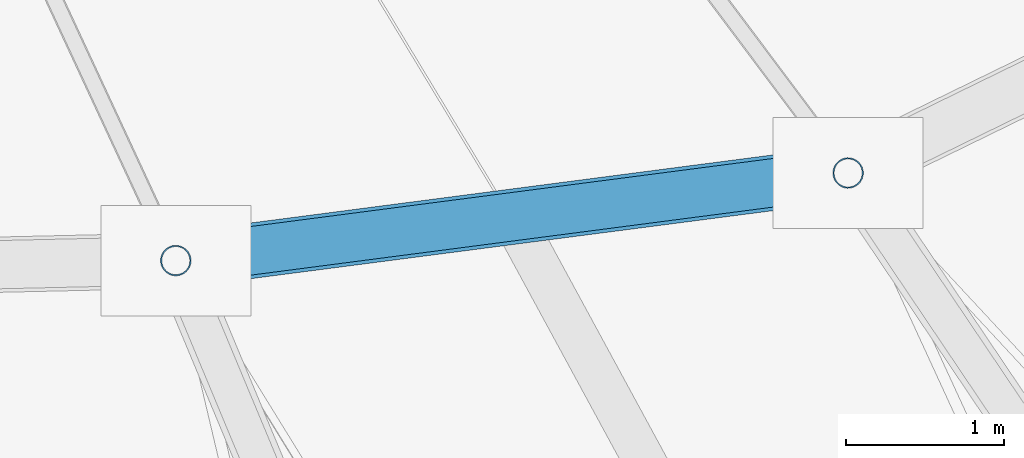
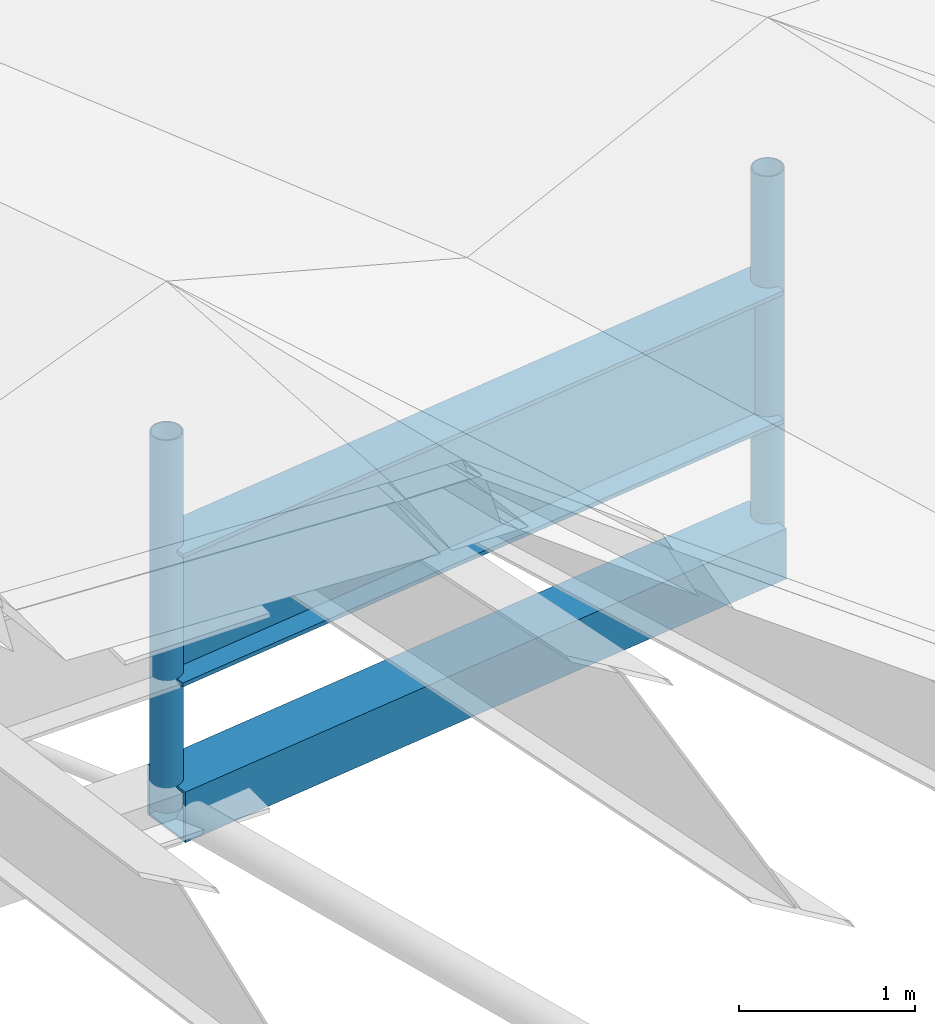
# One storey, part 18 of 41: 3 members, 1 beam.
"""IFC4 building model written with IfcOpenShell, lengths in metres."""

from ifc_helpers import new_model, si_unit, direction, frame, origin, origin_2d, place, context, subcontext, project, spatial, hollow_rectangle, hollow_circle, i_section, extrude, material, material_profile, profile_set, type_object, element, save


model = new_model("IFC4")

# Units and contexts
model_context = context("Model", 3, precision=1e-05, world=origin(), true_north=direction((0.0, 1.0)))
body_context = subcontext(model_context, "Body", "Model", "MODEL_VIEW")
ifc_project = project(units=[si_unit("LENGTHUNIT", "METRE"), si_unit("AREAUNIT", "SQUARE_METRE"), si_unit("VOLUMEUNIT", "CUBIC_METRE"), si_unit("PLANEANGLEUNIT", "RADIAN"), si_unit("MASSUNIT", "GRAM", prefix="KILO")], contexts=[model_context])

# Site, building, storey
site_placement = place(None, origin())
site = spatial("IfcSite", under=ifc_project, at=site_placement, CompositionType="ELEMENT")
building_placement = place(site_placement, origin())
building = spatial("IfcBuilding", under=site, at=building_placement, Name="Luwafu Chhajja Arena", CompositionType="ELEMENT")
storey_placement = place(building_placement, frame((0.0, 0.0, 29.699951171875)))
storey = spatial("IfcBuildingStorey", under=building, at=storey_placement, Name="RF", CompositionType="ELEMENT", Elevation=29.699951171875)

# Members
ifc_material = material(Name="Steel S355", Category="steel")
ifc_material_profile_1 = material_profile(ifc_material, hollow_circle(Radius=0.096923828125, WallThickness=0.008056640625, at=origin_2d()), Name="CHS 193.7x8")
ifc_profile_set_1 = profile_set([ifc_material_profile_1], Name="Steel S355")
member_type_1 = type_object("IfcMemberType", Name="Folded Pleat Tie Strut CHS 194", PredefinedType="BRACE", material=ifc_profile_set_1)
for number, where, z_axis, x_axis, name in (
    (1, (106.61865234375, 33.095458984375, 4.10009765625), (0.0, 0.0, 1.0), (1.0, 0.0, 0.0), "Roof Inner Ring Truss Web IRW-27"),
    (2, (110.874267578125, 33.64990234375, 4.10009765625), (0.0, 0.0, 1.0), (1.0, 0.0, 0.0), "Roof Inner Ring Truss Web IRW-28"),
):
    element("IfcMember", number, at=place(storey_placement, frame(where, z_axis=z_axis, x_axis=x_axis)), inside=storey, type_object=member_type_1, Name=name, PredefinedType="BRACE", context=body_context, shape_type="SweptSolid", body=[
        extrude(hollow_circle(Radius=0.096923828125, WallThickness=0.008056640625, at=origin_2d()), origin(), (0.0, 0.0, 1.0), 2.579833984375),
    ])

# Beam
ifc_material_profile_2 = material_profile(ifc_material, i_section(OverallWidth=0.305419921875, OverallDepth=0.91845703125, WebThickness=0.017333984375, FlangeThickness=0.02783203125, at=origin_2d()), Name="UB 914x305x253")
ifc_profile_set_2 = profile_set([ifc_material_profile_2], Name="Steel S355")
beam_type = type_object("IfcBeamType", Name="Inner Tension Ring Girder UB 914x305x253", PredefinedType="BEAM", material=ifc_profile_set_2)
beam_placement = place(storey_placement, frame((106.61865234375, 33.095458984375, 5.449951171875), z_axis=(0.9916194337, 0.129193261083, 0.0), x_axis=(-0.129193261083, 0.9916194337, 0.0)))
element("IfcBeam", 3, at=beam_placement, inside=storey, type_object=beam_type, Name="Roof Inner Tension Ring Beam IR-27", PredefinedType="BEAM", context=body_context, shape_type="SweptSolid", body=[
    extrude(i_section(OverallWidth=0.305419921875, OverallDepth=0.91845703125, WebThickness=0.017333984375, FlangeThickness=0.02783203125, at=origin_2d()), origin(), (0.0, 0.0, 1.0), 4.29150390625),
])

# Member
ifc_material_profile_3 = material_profile(ifc_material, hollow_rectangle(XDim=0.35009765625, YDim=0.35009765625, WallThickness=0.01611328125, at=origin_2d()), Name="SHS 350x350x16")
ifc_profile_set_3 = profile_set([ifc_material_profile_3], Name="Steel S355")
member_type_2 = type_object("IfcMemberType", Name="Ring Stabilizing Truss Chord SHS 350", PredefinedType="CHORD", material=ifc_profile_set_3)
member_placement = place(storey_placement, frame((106.61865234375, 33.095458984375, 4.10009765625), z_axis=(0.9916194337, 0.129193261083, 0.0), x_axis=(-0.129193261083, 0.9916194337, 0.0)))
element("IfcMember", 4, at=member_placement, inside=storey, type_object=member_type_2, Name="Roof Inner Stabilizing Ring Chord IRC-27", PredefinedType="CHORD", context=body_context, shape_type="SweptSolid", body=[
    extrude(hollow_rectangle(XDim=0.35009765625, YDim=0.35009765625, WallThickness=0.01611328125, at=origin_2d()), origin(), (0.0, 0.0, 1.0), 4.29150390625),
])

save(model, "model.ifc")
